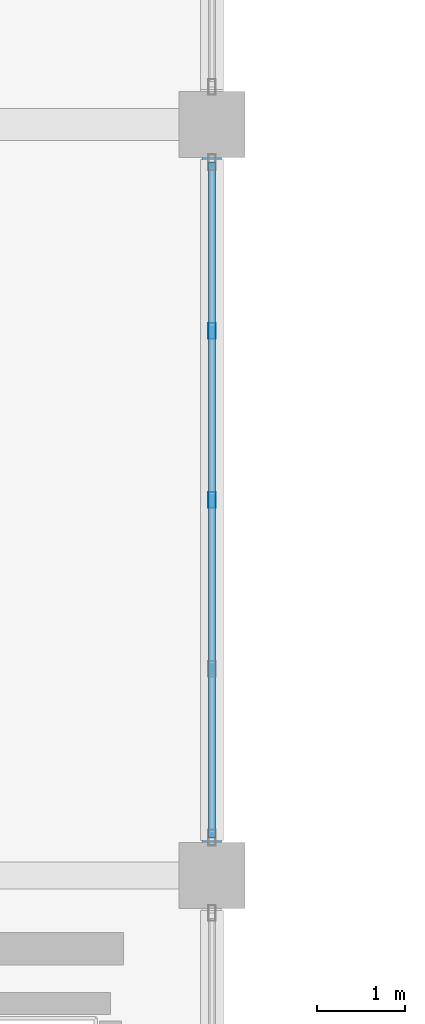
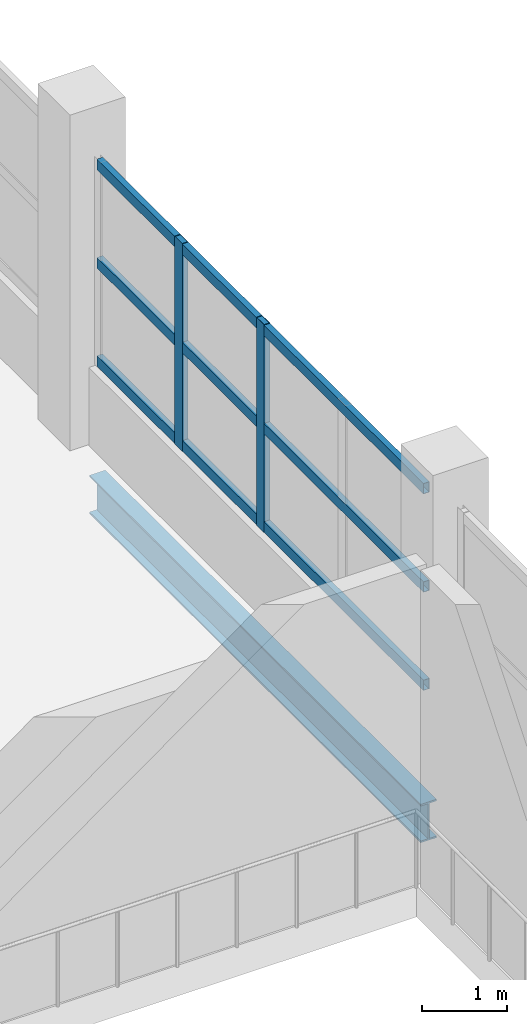
# One storey, part 44 of 77: 5 members, 1 beam, 1 element without a shape of its own.
"""IFC4 building model written with IfcOpenShell, lengths in metres."""

import ifcopenshell
import ifcopenshell.guid

model = None  # the IFC model being written
_history = None  # IfcOwnerHistory: only IFC2X3 demands one
_inside = {}  # id of a spatial element -> (the spatial element, [elements in it])
_under = {}  # id of a project, library or spatial element -> (it, [spatial elements below it])
_declared = {}  # id of a project -> (the project, [libraries it declares])
_typed = {}  # id of a type object -> (the type object, [elements of that type])
_made_of = {}  # id of a material, layer set ... -> (it, [elements and type objects made of it])


def new_model(schema):
    """Start an empty IFC model of exactly this schema.

    Asked for "IFC4X3", IfcOpenShell would pick the latest addendum, in which some entities
    have other attributes; the version numbers below select the first issue.
    IFC2X3 requires an IfcOwnerHistory on every rooted entity: one is made here for all.
    """
    global model, _history
    if schema == "IFC4X3":
        model = ifcopenshell.file(schema_version=(4, 3, 0, 0))
    else:
        model = ifcopenshell.file(schema=schema)
    _inside.clear()
    _under.clear()
    _declared.clear()
    _typed.clear()
    _made_of.clear()
    _history = None
    if model.schema == "IFC2X3":
        org = make("IfcOrganization", Name="unknown")
        user = make(
            "IfcPersonAndOrganization",
            ThePerson=make("IfcPerson", FamilyName="unknown"),
            TheOrganization=org,
        )
        app = make(
            "IfcApplication",
            ApplicationDeveloper=org,
            Version="unknown",
            ApplicationFullName="unknown",
            ApplicationIdentifier="unknown",
        )
        _history = make(
            "IfcOwnerHistory",
            OwningUser=user,
            OwningApplication=app,
            ChangeAction="ADDED",
            CreationDate=0,
        )
    return model


def make(cls, **values):
    """One entity of the class cls with the attributes given. An attribute that is None is left unset."""
    return model.create_entity(
        cls, **{name: value for name, value in values.items() if value is not None}
    )


def rooted(cls, **values):
    """An entity with a GlobalId (a new one), such as an element, a storey or a relation."""
    return make(cls, GlobalId=ifcopenshell.guid.new(), OwnerHistory=_history, **values)


def si_unit(unit_type, name, prefix=None):
    """IfcSIUnit, for example si_unit("LENGTHUNIT", "METRE", prefix="MILLI")."""
    return make("IfcSIUnit", UnitType=unit_type, Prefix=prefix, Name=name)


def assignment(units):
    """IfcUnitAssignment: the units of a project."""
    return None if units is None else make("IfcUnitAssignment", Units=units)


def point(xyz):
    """IfcCartesianPoint."""
    return None if xyz is None else make("IfcCartesianPoint", Coordinates=xyz)


def direction(xyz):
    """IfcDirection."""
    return None if xyz is None else make("IfcDirection", DirectionRatios=xyz)


def frame(location, z_axis=None, x_axis=None):
    """IfcAxis2Placement3D, a coordinate frame: its origin and axes. An axis left out is left unset."""
    return make(
        "IfcAxis2Placement3D",
        Location=point(location),
        Axis=direction(z_axis),
        RefDirection=direction(x_axis),
    )


def frame_2d(location, x_axis=None):
    """IfcAxis2Placement2D, a coordinate frame in the plane: its origin and x axis."""
    return make(
        "IfcAxis2Placement2D", Location=point(location), RefDirection=direction(x_axis)
    )


def origin():
    """The frame at (0, 0, 0) with its axes left unset."""
    return frame((0.0, 0.0, 0.0))


def origin_2d():
    """The frame at (0, 0) in the plane with its x axis left unset."""
    return frame_2d((0.0, 0.0))


def place(relative_to, where):
    """IfcLocalPlacement: puts the frame where relative to a parent placement (None: the world)."""
    return make(
        "IfcLocalPlacement", PlacementRelTo=relative_to, RelativePlacement=where
    )


def context(
    kind, dimensions, precision=None, world=None, true_north=None, identifier=None
):
    """IfcGeometricRepresentationContext, for example the 3D "Model" context."""
    return make(
        "IfcGeometricRepresentationContext",
        ContextIdentifier=identifier,
        ContextType=kind,
        CoordinateSpaceDimension=dimensions,
        Precision=precision,
        WorldCoordinateSystem=world,
        TrueNorth=true_north,
    )


def subcontext(parent, identifier, kind, view, scale=None):
    """IfcGeometricRepresentationSubContext, for example "Body" below "Model"."""
    return make(
        "IfcGeometricRepresentationSubContext",
        ContextIdentifier=identifier,
        ContextType=kind,
        ParentContext=parent,
        TargetScale=scale,
        TargetView=view,
    )


def project(units=None, contexts=None):
    """IfcProject with its units and contexts."""
    return rooted(
        "IfcProject",
        Name="project",
        RepresentationContexts=contexts,
        UnitsInContext=assignment(units),
    )


def spatial(cls, under=None, at=None, **own):
    """A site, building, storey or space (cls), placed at a placement, below another one or the project."""
    s = rooted(cls, ObjectPlacement=at, **own)
    if under is not None:
        _under.setdefault(under.id(), (under, []))[1].append(s)
    return s


def profile(cls, at=None, kind="AREA", **sizes):
    """A parametric profile (cls). Its sizes go by their IFC names, for example OverallWidth=200.0."""
    return make(cls, ProfileType=kind, Position=at, **sizes)


def hollow_rectangle(**sizes):
    """IfcRectangleHollowProfileDef."""
    return profile("IfcRectangleHollowProfileDef", **sizes)


def i_section(**sizes):
    """IfcIShapeProfileDef."""
    return profile("IfcIShapeProfileDef", **sizes)


def extrude(swept, where, along, depth):
    """IfcExtrudedAreaSolid: the profile swept, set in the frame where, extruded along a direction by depth."""
    return make(
        "IfcExtrudedAreaSolid",
        SweptArea=swept,
        Position=where,
        ExtrudedDirection=direction(along),
        Depth=depth,
    )


def shape(context_of_items, identifier, shape_type, items):
    """IfcShapeRepresentation: the items that make up one representation, for example the "Body"."""
    return make(
        "IfcShapeRepresentation",
        ContextOfItems=context_of_items,
        RepresentationIdentifier=identifier,
        RepresentationType=shape_type,
        Items=items,
    )


def material(Name=None, Category=None):
    """IfcMaterial."""
    return make("IfcMaterial", Name=Name, Category=Category)


def material_profile(
    of_material, cross_section, Name=None, Category=None, Priority=None
):
    """IfcMaterialProfile: a cross section and its material."""
    return make(
        "IfcMaterialProfile",
        Name=Name,
        Material=of_material,
        Profile=cross_section,
        Priority=Priority,
        Category=Category,
    )


def profile_set(profiles, Name=None, composite=None):
    """IfcMaterialProfileSet."""
    return make(
        "IfcMaterialProfileSet",
        Name=Name,
        MaterialProfiles=profiles,
        CompositeProfile=composite,
    )


def made_of(thing, what):
    """Note that an element or type object is made of a material, layer set ...; save() writes the relation."""
    if what is not None:
        _made_of.setdefault(what.id(), (what, []))[1].append(thing)
    return thing


def type_object(cls, material=None, **own):
    """A type object (cls), such as IfcWallType, which elements share."""
    return made_of(rooted(cls, **own), material)


def element(
    cls,
    number,
    at=None,
    inside=None,
    cuts=None,
    type_object=None,
    material=None,
    context=None,
    identifier="Body",
    shape_type=None,
    held_by="IfcProductDefinitionShape",
    body=None,
    shapes=None,
    **own,
):
    """One element of the class cls, such as IfcWall. Its Tag is "e" and its number.

    at: its placement. inside: the storey or other place that contains it. cuts: it is an
    opening in that element (IfcRelVoidsElement). A single representation is given by context,
    identifier, shape_type and body (its items); several are given by shapes. held_by: the class
    of the entity that holds the representations. save() writes the other relations.
    """
    e = rooted(cls, Tag="e%d" % number, ObjectPlacement=at, **own)
    if body is not None:
        shapes = [shape(context, identifier, shape_type, body)]
    if shapes is not None:
        e.Representation = make(held_by, Representations=shapes)
    if inside is not None:
        _inside.setdefault(inside.id(), (inside, []))[1].append(e)
    if cuts is not None:
        rooted(
            "IfcRelVoidsElement", RelatingBuildingElement=cuts, RelatedOpeningElement=e
        )
    if type_object is not None:
        _typed.setdefault(type_object.id(), (type_object, []))[1].append(e)
    return made_of(e, material)


def aggregate(whole, parts):
    """IfcRelAggregates: a whole, such as a stair, and the parts it consists of."""
    return rooted("IfcRelAggregates", RelatingObject=whole, RelatedObjects=parts)


def save(model, path):
    """Write the relations noted so far, then the file.

    IfcRelAggregates (storeys below a building ...), IfcRelContainedInSpatialStructure (elements
    in a storey), IfcRelDefinesByType, IfcRelAssociatesMaterial and IfcRelDeclares: one each for
    every whole, place, type object, material and project.
    """
    for whole, parts in _under.values():
        aggregate(whole, parts)
    for where, things in _inside.values():
        rooted(
            "IfcRelContainedInSpatialStructure",
            RelatedElements=things,
            RelatingStructure=where,
        )
    for kind, things in _typed.values():
        rooted("IfcRelDefinesByType", RelatedObjects=things, RelatingType=kind)
    for what, things in _made_of.values():
        rooted("IfcRelAssociatesMaterial", RelatedObjects=things, RelatingMaterial=what)
    for by, libraries in _declared.values():
        rooted("IfcRelDeclares", RelatingContext=by, RelatedDefinitions=libraries)
    model.write(path)


model = new_model("IFC4")

# Units and contexts
model_context = context("Model", 3, precision=1e-05, world=origin(), true_north=direction((0.0, 1.0)))
body_context = subcontext(model_context, "Body", "Model", "MODEL_VIEW")
ifc_project = project(units=[si_unit("LENGTHUNIT", "METRE"), si_unit("AREAUNIT", "SQUARE_METRE"), si_unit("VOLUMEUNIT", "CUBIC_METRE"), si_unit("PLANEANGLEUNIT", "RADIAN"), si_unit("MASSUNIT", "GRAM", prefix="KILO")], contexts=[model_context])

# Site, building, storey
site_placement = place(None, origin())
site = spatial("IfcSite", under=ifc_project, at=site_placement, CompositionType="ELEMENT")
building_placement = place(site_placement, origin())
building = spatial("IfcBuilding", under=site, at=building_placement, Name="Solvento Point Concert Hall", CompositionType="ELEMENT")
storey_placement = place(building_placement, frame((0.0, 0.0, 10.199951171875)))
storey = spatial("IfcBuildingStorey", under=building, at=storey_placement, Name="L02", CompositionType="ELEMENT", Elevation=10.199951171875)

# Beam
ifc_material_1 = material(Name="Structural Steel ASTM A992 Grade 50", Category="steel")
ifc_material_profile_1 = material_profile(ifc_material_1, i_section(OverallWidth=0.214111328125, OverallDepth=0.549072265625, WebThickness=0.0146484375, FlangeThickness=0.023681640625, at=origin_2d()), Name="W21X93")
ifc_profile_set_1 = profile_set([ifc_material_profile_1], Name="Structural Steel ASTM A992 Grade 50")
beam_type = type_object("IfcBeamType", Name="Beam_W21X93", PredefinedType="BEAM", material=ifc_profile_set_1)
beam_placement = place(storey_placement, frame((208.800048828125, 8.868896484375, -0.718505859375), z_axis=(0.0, 1.0, 0.0), x_axis=(-1.0, 0.0, 0.0)))
element("IfcBeam", 1, at=beam_placement, inside=storey, type_object=beam_type, Name="Primary girder B-48 L02", PredefinedType="BEAM", context=body_context, shape_type="SweptSolid", body=[
    extrude(i_section(OverallWidth=0.214111328125, OverallDepth=0.549072265625, WebThickness=0.0146484375, FlangeThickness=0.023681640625, at=origin_2d()), origin(), (0.0, 0.0, 1.0), 7.76220703125),
])

# Curtain wall, members
ifc_material_2 = material(Name="Anodized Bronze Aluminium", Category="aluminium")
curtain_wall_type = type_object("IfcCurtainWallType", Name="CurtainWall_ChamberCircle", PredefinedType="USERDEFINED", material=ifc_material_2)
curtain_wall_placement = place(storey_placement, origin())
curtain_wall = element("IfcCurtainWall", 2, at=curtain_wall_placement, inside=storey, type_object=curtain_wall_type, Name="Unitised curtain wall CW-32 UCW-L02-153", ObjectType="UNITISED CURTAIN WALL", PredefinedType="USERDEFINED")
ifc_material_3 = material(Name="Anodized Bronze Aluminium", Category="aluminium")
ifc_material_profile_2 = material_profile(ifc_material_3, hollow_rectangle(XDim=0.080078125, YDim=0.179931640625, WallThickness=0.00390625, at=origin_2d()), Name="CW-MUL-80X180")
ifc_profile_set_2 = profile_set([ifc_material_profile_2], Name="Anodized Bronze Aluminium")
member_type_1 = type_object("IfcMemberType", Name="Mullion_80x180", PredefinedType="MULLION", material=ifc_profile_set_2)
member_1_placement = place(storey_placement, frame((208.800048828125, 12.75, 1.1201171875), z_axis=(0.0, 0.0, 1.0), x_axis=(1.0, 0.0, 0.0)))
member_1 = element("IfcMember", 3, at=member_1_placement, type_object=member_type_1, Name="Curtain wall mullion ML-01", PredefinedType="MULLION", context=body_context, shape_type="SweptSolid", body=[
    extrude(hollow_rectangle(XDim=0.080078125, YDim=0.179931640625, WallThickness=0.00390625, at=origin_2d()), origin(), (0.0, 0.0, 1.0), 2.970947265625),
])
member_2_placement = place(storey_placement, frame((208.800048828125, 14.66259765625, 1.1201171875), z_axis=(0.0, 0.0, 1.0), x_axis=(1.0, 0.0, 0.0)))
member_2 = element("IfcMember", 4, at=member_2_placement, type_object=member_type_1, Name="Curtain wall mullion ML-01", PredefinedType="MULLION", context=body_context, shape_type="SweptSolid", body=[
    extrude(hollow_rectangle(XDim=0.080078125, YDim=0.179931640625, WallThickness=0.00390625, at=origin_2d()), origin(), (0.0, 0.0, 1.0), 2.970947265625),
])
ifc_material_4 = material(Name="Anodized Bronze Aluminium", Category="aluminium")
ifc_material_profile_3 = material_profile(ifc_material_4, hollow_rectangle(XDim=0.080078125, YDim=0.14990234375, WallThickness=0.00390625, at=origin_2d()), Name="CW-TRN-80X150")
ifc_profile_set_3 = profile_set([ifc_material_profile_3], Name="Anodized Bronze Aluminium")
member_type_2 = type_object("IfcMemberType", Name="Transom_80x150", PredefinedType="USERDEFINED", material=ifc_profile_set_3)
member_3_placement = place(storey_placement, frame((208.800048828125, 8.925048828125, 1.199951171875), z_axis=(0.0, 1.0, 0.0), x_axis=(-1.0, 0.0, 0.0)))
member_3 = element("IfcMember", 5, at=member_3_placement, type_object=member_type_2, Name="Curtain wall transom TR-01", ObjectType="TRANSOM", PredefinedType="USERDEFINED", context=body_context, shape_type="SweptSolid", body=[
    extrude(hollow_rectangle(XDim=0.080078125, YDim=0.14990234375, WallThickness=0.00390625, at=origin_2d()), origin(), (0.0, 0.0, 1.0), 7.64990234375),
])
member_4_placement = place(storey_placement, frame((208.800048828125, 8.925048828125, 2.60546875), z_axis=(0.0, 1.0, 0.0), x_axis=(-1.0, 0.0, 0.0)))
member_4 = element("IfcMember", 6, at=member_4_placement, type_object=member_type_2, Name="Curtain wall transom TR-01", ObjectType="TRANSOM", PredefinedType="USERDEFINED", context=body_context, shape_type="SweptSolid", body=[
    extrude(hollow_rectangle(XDim=0.080078125, YDim=0.14990234375, WallThickness=0.00390625, at=origin_2d()), origin(), (0.0, 0.0, 1.0), 7.64990234375),
])
member_5_placement = place(storey_placement, frame((208.800048828125, 8.925048828125, 4.010986328125), z_axis=(0.0, 1.0, 0.0), x_axis=(-1.0, 0.0, 0.0)))
member_5 = element("IfcMember", 7, at=member_5_placement, type_object=member_type_2, Name="Curtain wall transom TR-01", ObjectType="TRANSOM", PredefinedType="USERDEFINED", context=body_context, shape_type="SweptSolid", body=[
    extrude(hollow_rectangle(XDim=0.080078125, YDim=0.14990234375, WallThickness=0.00390625, at=origin_2d()), origin(), (0.0, 0.0, 1.0), 7.64990234375),
])
aggregate(curtain_wall, [member_1, member_2, member_3, member_4, member_5])

save(model, "model.ifc")
